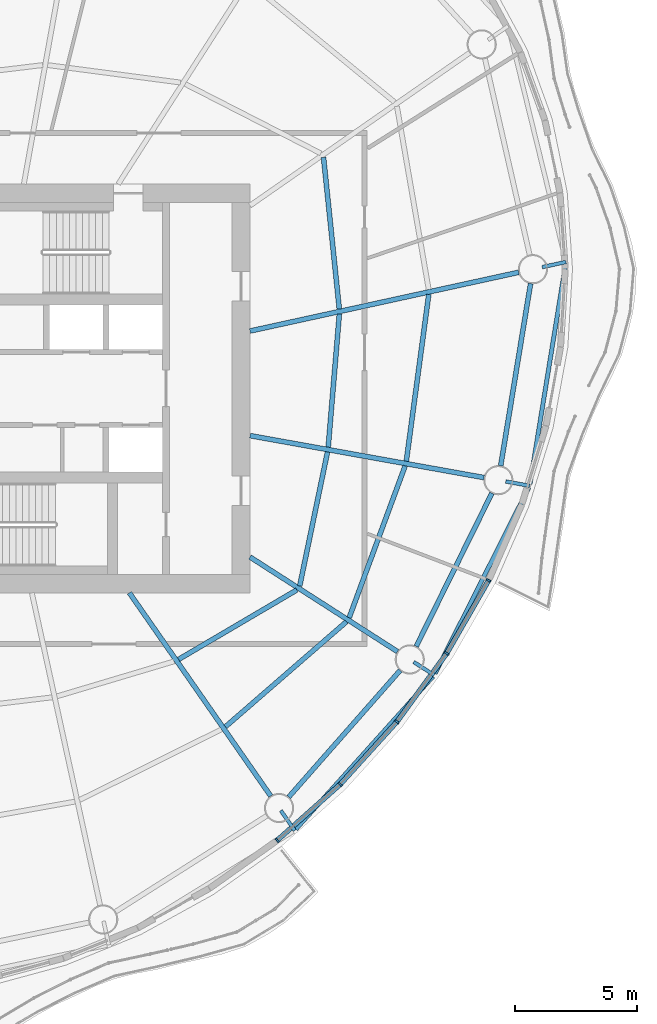
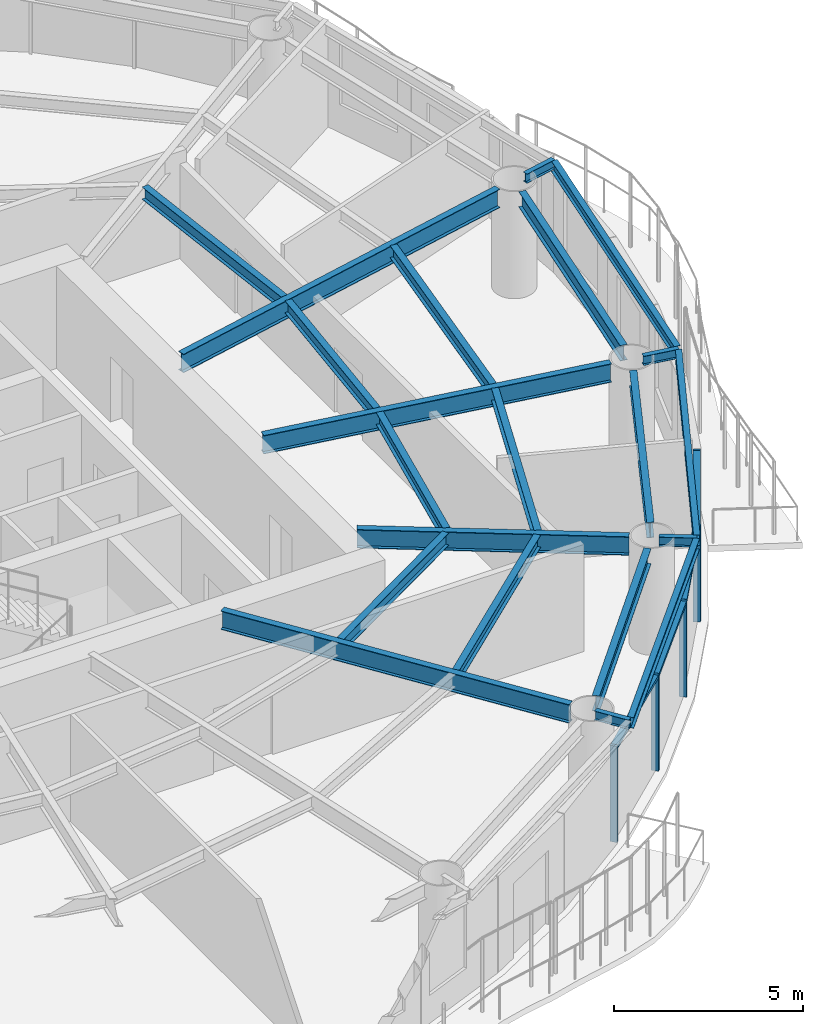
# One storey, part 4 of 14: 21 beams, 9 members, 4 elements without a shape of their own.
"""IFC4 building model written with IfcOpenShell, lengths in metres."""

from ifc_helpers import new_model, si_unit, direction, frame, origin, origin_2d, place, context, subcontext, project, spatial, rectangle, i_section, extrude, material, material_profile, profile_set, type_object, element, aggregate, save


model = new_model("IFC4")

# Units and contexts
model_context = context("Model", 3, precision=1e-05, world=origin(), true_north=direction((0.0, 1.0)))
body_context = subcontext(model_context, "Body", "Model", "MODEL_VIEW")
ifc_project = project(units=[si_unit("LENGTHUNIT", "METRE"), si_unit("AREAUNIT", "SQUARE_METRE"), si_unit("VOLUMEUNIT", "CUBIC_METRE"), si_unit("PLANEANGLEUNIT", "RADIAN"), si_unit("MASSUNIT", "GRAM", prefix="KILO")], contexts=[model_context])

# Site, building, storey
site_placement = place(None, origin())
site = spatial("IfcSite", under=ifc_project, at=site_placement, CompositionType="ELEMENT")
building_placement = place(site_placement, origin())
building = spatial("IfcBuilding", under=site, at=building_placement, Name="Vermilion Reach Broadcast Tower", CompositionType="ELEMENT")
storey_placement = place(building_placement, frame((0.0, 0.0, 235.300048828125)))
storey = spatial("IfcBuildingStorey", under=building, at=storey_placement, Name="L58", CompositionType="ELEMENT", Elevation=235.300048828125)

# Beams
ifc_material_1 = material(Name="Steel S355J2", Category="steel")
ifc_material_profile_1 = material_profile(ifc_material_1, i_section(OverallWidth=0.175048828125, OverallDepth=0.35009765625, WebThickness=0.007080078125, FlangeThickness=0.010986328125, at=origin_2d()), Name="S355J2 HN 350x175x7x11")
ifc_profile_set_1 = profile_set([ifc_material_profile_1], Name="Steel S355J2")
beam_type_1 = type_object("IfcBeamType", Name="EB4 HN 350x175x7x11", PredefinedType="BEAM", material=ifc_profile_set_1)
beam_1_placement = place(storey_placement, frame((6.687744140625, -18.103759765625, 3.27490234375), z_axis=(0.668066114514, 0.744101919523, 0.0), x_axis=(-0.744101919523, 0.668066114514, 0.0)))
element("IfcBeam", 1, at=beam_1_placement, inside=storey, type_object=beam_type_1, Name="Edge beam EB4-12", PredefinedType="BEAM", context=body_context, shape_type="SweptSolid", body=[
    extrude(i_section(OverallWidth=0.175048828125, OverallDepth=0.35009765625, WebThickness=0.007080078125, FlangeThickness=0.010986328125, at=origin_2d()), origin(), (0.0, 0.0, 1.0), 8.42529296875),
])
beam_2_placement = place(storey_placement, frame((12.401123046875, -11.710693359375, 3.27490234375), z_axis=(0.450337095438, 0.892858611692, 0.0), x_axis=(-0.892858611692, 0.450337095438, 0.0)))
element("IfcBeam", 2, at=beam_2_placement, inside=storey, type_object=beam_type_1, Name="Edge beam EB4-13", PredefinedType="BEAM", context=body_context, shape_type="SweptSolid", body=[
    extrude(i_section(OverallWidth=0.175048828125, OverallDepth=0.35009765625, WebThickness=0.007080078125, FlangeThickness=0.010986328125, at=origin_2d()), origin(), (0.0, 0.0, 1.0), 8.55908203125),
])
beam_3_placement = place(storey_placement, frame((16.302978515625, -3.9248046875, 3.27490234375), z_axis=(0.160024139448, 0.987113101318, 0.0), x_axis=(-0.987113101318, 0.160024139448, 0.0)))
element("IfcBeam", 3, at=beam_3_placement, inside=storey, type_object=beam_type_1, Name="Edge beam EB4-14", PredefinedType="BEAM", context=body_context, shape_type="SweptSolid", body=[
    extrude(i_section(OverallWidth=0.175048828125, OverallDepth=0.35009765625, WebThickness=0.007080078125, FlangeThickness=0.010986328125, at=origin_2d()), origin(), (0.0, 0.0, 1.0), 9.16162109375),
])
ifc_material_2 = material(Name="Steel S355J2", Category="steel")
ifc_material_profile_2 = material_profile(ifc_material_2, i_section(OverallWidth=0.199951171875, OverallDepth=0.60009765625, WebThickness=0.010986328125, FlangeThickness=0.01708984375, at=origin_2d()), Name="S355J2 HN 600x200x11x17")
ifc_profile_set_2 = profile_set([ifc_material_profile_2], Name="Steel S355J2")
beam_type_2 = type_object("IfcBeamType", Name="G4 HN 600x200x11x17", PredefinedType="BEAM", material=ifc_profile_set_2)
beam_4_placement = place(storey_placement, frame((-0.1552734375, -8.39990234375, 3.14990234375), z_axis=(0.571134149017, -0.8208567377, 0.0), x_axis=(0.8208567377, 0.571134149017, 0.0)))
element("IfcBeam", 4, at=beam_4_placement, inside=storey, type_object=beam_type_2, Name="Girder G4-12", PredefinedType="BEAM", context=body_context, shape_type="SweptSolid", body=[
    extrude(i_section(OverallWidth=0.199951171875, OverallDepth=0.60009765625, WebThickness=0.010986328125, FlangeThickness=0.01708984375, at=origin_2d()), origin(), (0.0, 0.0, 1.0), 10.16552734375),
])
beam_5_placement = place(storey_placement, frame((4.800048828125, -6.925537109375, 3.14990234375), z_axis=(0.841798504642, -0.539791883584, 0.0), x_axis=(0.539791883584, 0.841798504642, 0.0)))
element("IfcBeam", 5, at=beam_5_placement, inside=storey, type_object=beam_type_2, Name="Girder G4-13", PredefinedType="BEAM", context=body_context, shape_type="SweptSolid", body=[
    extrude(i_section(OverallWidth=0.199951171875, OverallDepth=0.60009765625, WebThickness=0.010986328125, FlangeThickness=0.01708984375, at=origin_2d()), origin(), (0.0, 0.0, 1.0), 7.1962890625),
])
beam_6_placement = place(storey_placement, frame((4.800048828125, -1.9375, 3.14990234375), z_axis=(0.984291153273, -0.176552897422, 0.0), x_axis=(0.176552897422, 0.984291153273, 0.0)))
element("IfcBeam", 6, at=beam_6_placement, inside=storey, type_object=beam_type_2, Name="Girder G4-14", PredefinedType="BEAM", context=body_context, shape_type="SweptSolid", body=[
    extrude(i_section(OverallWidth=0.199951171875, OverallDepth=0.60009765625, WebThickness=0.010986328125, FlangeThickness=0.01708984375, at=origin_2d()), origin(), (0.0, 0.0, 1.0), 9.765380859375),
])
beam_7_placement = place(storey_placement, frame((4.800048828125, 2.360595703125, 3.14990234375), z_axis=(0.976930175286, 0.213558967537, 0.0), x_axis=(-0.213558967537, 0.976930175286, 0.0)))
element("IfcBeam", 7, at=beam_7_placement, inside=storey, type_object=beam_type_2, Name="Girder G4-15", PredefinedType="BEAM", context=body_context, shape_type="SweptSolid", body=[
    extrude(i_section(OverallWidth=0.199951171875, OverallDepth=0.60009765625, WebThickness=0.010986328125, FlangeThickness=0.01708984375, at=origin_2d()), origin(), (0.0, 0.0, 1.0), 11.29833984375),
])
ifc_material_3 = material(Name="Steel S355J2", Category="steel")
ifc_material_profile_3 = material_profile(ifc_material_3, i_section(OverallWidth=0.14990234375, OverallDepth=0.300048828125, WebThickness=0.006591796875, FlangeThickness=0.009033203125, at=origin_2d()), Name="S355J2 HN 300x150x6.5x9")
ifc_profile_set_3 = profile_set([ifc_material_profile_3], Name="Steel S355J2")
beam_type_3 = type_object("IfcBeamType", Name="GS4 HN 300x150x6.5x9", PredefinedType="BEAM", material=ifc_profile_set_3)
for number, where, z_axis, x_axis, name in (
    (8, (6.065185546875, -17.340087890625, 3.300048828125), (0.571100256946, -0.820880318022, 0.0), (0.820880318022, 0.571100256946, 0.0), "Cantilever stub GS4-12"),
    (9, (11.525390625, -11.238037109375, 3.300048828125), (0.841796649213, -0.539794777091, 0.0), (0.539794777091, 0.841796649213, 0.0), "Cantilever stub GS4-13"),
    (10, (15.306640625, -3.822265625, 3.300048828125), (0.984300581331, -0.176500327456, 0.0), (0.176500327456, 0.984300581331, 0.0), "Cantilever stub GS4-14"),
):
    element("IfcBeam", number, at=place(storey_placement, frame(where, z_axis=z_axis, x_axis=x_axis)), inside=storey, type_object=beam_type_3, Name=name, PredefinedType="BEAM", context=body_context, shape_type="SweptSolid", body=[
        extrude(i_section(OverallWidth=0.14990234375, OverallDepth=0.300048828125, WebThickness=0.006591796875, FlangeThickness=0.009033203125, at=origin_2d()), origin(), (0.0, 0.0, 1.0), 1.0),
    ])
beam_8_placement = place(storey_placement, frame((16.80517578125, 4.98486328125, 3.300048828125), z_axis=(0.976962101927, 0.213412866055, 0.0), x_axis=(-0.213412866055, 0.976962101927, 0.0)))
element("IfcBeam", 11, at=beam_8_placement, inside=storey, type_object=beam_type_3, Name="Cantilever stub GS4-15", PredefinedType="BEAM", context=body_context, shape_type="SweptSolid", body=[
    extrude(i_section(OverallWidth=0.14990234375, OverallDepth=0.300048828125, WebThickness=0.006591796875, FlangeThickness=0.009033203125, at=origin_2d()), origin(), (0.0, 0.0, 1.0), 0.999755859375),
])
ifc_material_4 = material(Name="Steel S355J2", Category="steel")
ifc_material_profile_4 = material_profile(ifc_material_4, i_section(OverallWidth=0.199951171875, OverallDepth=0.5, WebThickness=0.010009765625, FlangeThickness=0.01611328125, at=origin_2d()), Name="S355J2 HN 500x200x10x16")
ifc_profile_set_4 = profile_set([ifc_material_profile_4], Name="Steel S355J2")
beam_type_4 = type_object("IfcBeamType", Name="RB4 HN 500x200x10x16", PredefinedType="BEAM", material=ifc_profile_set_4)
beam_9_placement = place(storey_placement, frame((6.3896484375, -16.786376953125, 3.199951171875), z_axis=(0.660565141761, 0.750768735024, 0.0), x_axis=(-0.750768735024, 0.660565141761, 0.0)))
element("IfcBeam", 12, at=beam_9_placement, inside=storey, type_object=beam_type_4, Name="Ring beam RB4-12", PredefinedType="BEAM", context=body_context, shape_type="SweptSolid", body=[
    extrude(i_section(OverallWidth=0.199951171875, OverallDepth=0.5, WebThickness=0.010009765625, FlangeThickness=0.01611328125, at=origin_2d()), origin(), (0.0, 0.0, 1.0), 6.9287109375),
])
beam_10_placement = place(storey_placement, frame((11.628662109375, -10.595947265625, 3.199951171875), z_axis=(0.442977497199, 0.896532730566, 0.0), x_axis=(-0.896532730566, 0.442977497199, 0.0)))
element("IfcBeam", 13, at=beam_10_placement, inside=storey, type_object=beam_type_4, Name="Ring beam RB4-13", PredefinedType="BEAM", context=body_context, shape_type="SweptSolid", body=[
    extrude(i_section(OverallWidth=0.199951171875, OverallDepth=0.5, WebThickness=0.010009765625, FlangeThickness=0.01611328125, at=origin_2d()), origin(), (0.0, 0.0, 1.0), 7.0166015625),
])
beam_11_placement = place(storey_placement, frame((15.099609375, -3.175537109375, 3.199951171875), z_axis=(0.161778110263, 0.986827159659, 0.0), x_axis=(-0.986827159659, 0.161778110263, 0.0)))
element("IfcBeam", 14, at=beam_11_placement, inside=storey, type_object=beam_type_4, Name="Ring beam RB4-14", PredefinedType="BEAM", context=body_context, shape_type="SweptSolid", body=[
    extrude(i_section(OverallWidth=0.199951171875, OverallDepth=0.5, WebThickness=0.010009765625, FlangeThickness=0.01611328125, at=origin_2d()), origin(), (0.0, 0.0, 1.0), 7.584716796875),
])
ifc_material_5 = material(Name="Steel S355J2", Category="steel")
ifc_material_profile_5 = material_profile(ifc_material_5, i_section(OverallWidth=0.199951171875, OverallDepth=0.39990234375, WebThickness=0.008056640625, FlangeThickness=0.012939453125, at=origin_2d()), Name="S355J2 HN 400x200x8x13")
ifc_profile_set_5 = profile_set([ifc_material_profile_5], Name="Steel S355J2")
beam_type_5 = type_object("IfcBeamType", Name="SB4 HN 400x200x8x13", PredefinedType="BEAM", material=ifc_profile_set_5)
beam_12_placement = place(storey_placement, frame((1.866455078125, -11.130615234375, 3.25), z_axis=(0.862172572268, 0.506614701356, 0.0), x_axis=(-0.506614701356, 0.862172572268, 0.0)))
element("IfcBeam", 15, at=beam_12_placement, inside=storey, type_object=beam_type_5, Name="Secondary beam SB4-12-1", PredefinedType="BEAM", context=body_context, shape_type="SweptSolid", body=[
    extrude(i_section(OverallWidth=0.199951171875, OverallDepth=0.39990234375, WebThickness=0.008056640625, FlangeThickness=0.012939453125, at=origin_2d()), origin(), (0.0, 0.0, 1.0), 5.632568359375),
])
beam_13_placement = place(storey_placement, frame((3.791259765625, -13.89697265625, 3.25), z_axis=(0.755129308567, 0.655575874589, 0.0), x_axis=(-0.655575874589, 0.755129308567, 0.0)))
element("IfcBeam", 16, at=beam_13_placement, inside=storey, type_object=beam_type_5, Name="Secondary beam SB4-12-2", PredefinedType="BEAM", context=body_context, shape_type="SweptSolid", body=[
    extrude(i_section(OverallWidth=0.199951171875, OverallDepth=0.39990234375, WebThickness=0.008056640625, FlangeThickness=0.012939453125, at=origin_2d()), origin(), (0.0, 0.0, 1.0), 6.57958984375),
])
beam_14_placement = place(storey_placement, frame((6.841064453125, -8.115478515625, 3.25), z_axis=(0.20320860258, 0.979135467562, 0.0), x_axis=(-0.979135467562, 0.20320860258, 0.0)))
element("IfcBeam", 17, at=beam_14_placement, inside=storey, type_object=beam_type_5, Name="Secondary beam SB4-13-1", PredefinedType="BEAM", context=body_context, shape_type="SweptSolid", body=[
    extrude(i_section(OverallWidth=0.199951171875, OverallDepth=0.39990234375, WebThickness=0.008056640625, FlangeThickness=0.012939453125, at=origin_2d()), origin(), (0.0, 0.0, 1.0), 5.622802734375),
])
beam_15_placement = place(storey_placement, frame((8.8740234375, -9.419189453125, 3.25), z_axis=(0.345833008621, 0.938296078084, 0.0), x_axis=(-0.938296078084, 0.345833008621, 0.0)))
element("IfcBeam", 18, at=beam_15_placement, inside=storey, type_object=beam_type_5, Name="Secondary beam SB4-13-2", PredefinedType="BEAM", context=body_context, shape_type="SweptSolid", body=[
    extrude(i_section(OverallWidth=0.199951171875, OverallDepth=0.39990234375, WebThickness=0.008056640625, FlangeThickness=0.012939453125, at=origin_2d()), origin(), (0.0, 0.0, 1.0), 6.647216796875),
])
beam_16_placement = place(storey_placement, frame((8.012451171875, -2.412109375, 3.25), z_axis=(0.08339866655, 0.996516262997, 0.0), x_axis=(-0.996516262997, 0.08339866655, 0.0)))
element("IfcBeam", 19, at=beam_16_placement, inside=storey, type_object=beam_type_5, Name="Secondary beam SB4-14-1", PredefinedType="BEAM", context=body_context, shape_type="SweptSolid", body=[
    extrude(i_section(OverallWidth=0.199951171875, OverallDepth=0.39990234375, WebThickness=0.008056640625, FlangeThickness=0.012939453125, at=origin_2d()), origin(), (0.0, 0.0, 1.0), 5.49169921875),
])
beam_17_placement = place(storey_placement, frame((11.221435546875, -2.98779296875, 3.25), z_axis=(0.133486718782, 0.991050602093, 0.0), x_axis=(-0.991050602093, 0.133486718782, 0.0)))
element("IfcBeam", 20, at=beam_17_placement, inside=storey, type_object=beam_type_5, Name="Secondary beam SB4-14-2", PredefinedType="BEAM", context=body_context, shape_type="SweptSolid", body=[
    extrude(i_section(OverallWidth=0.199951171875, OverallDepth=0.39990234375, WebThickness=0.008056640625, FlangeThickness=0.012939453125, at=origin_2d()), origin(), (0.0, 0.0, 1.0), 6.913330078125),
])
beam_18_placement = place(storey_placement, frame((8.46875, 3.264892578125, 3.25), z_axis=(-0.103532173355, 0.994626105167, 0.0), x_axis=(-0.994626105167, -0.103532173355, 0.0)))
element("IfcBeam", 21, at=beam_18_placement, inside=storey, type_object=beam_type_5, Name="Secondary beam SB4-15-1", PredefinedType="BEAM", context=body_context, shape_type="SweptSolid", body=[
    extrude(i_section(OverallWidth=0.199951171875, OverallDepth=0.39990234375, WebThickness=0.008056640625, FlangeThickness=0.012939453125, at=origin_2d()), origin(), (0.0, 0.0, 1.0), 6.26318359375),
])

# Curtain wall, member
ifc_material_6 = material(Name="Low-e laminated clear glass in aluminium frame", Category="aluminium")
curtain_wall_type = type_object("IfcCurtainWallType", Name="Slot curtain wall", PredefinedType="NOTDEFINED", material=ifc_material_6)
placement = place(storey_placement, origin())
curtain_wall_1 = element("IfcCurtainWall", 22, at=placement, inside=storey, type_object=curtain_wall_type, Name="Slot curtain wall L58 34", PredefinedType="NOTDEFINED")
ifc_material_7 = material(Name="Anodised aluminium", Category="aluminium")
ifc_material_profile_6 = material_profile(ifc_material_7, rectangle(XDim=0.199951171875, YDim=0.080078125, at=origin_2d()), Name="Slot mullion 80 x 200")
ifc_profile_set_6 = profile_set([ifc_material_profile_6], Name="Anodised aluminium")
member_type_1 = type_object("IfcMemberType", Name="Slot mullion 80 x 200", PredefinedType="MULLION", material=ifc_profile_set_6)
member_1_placement = place(storey_placement, frame((5.91650390625, -18.5654296875, 0.0), z_axis=(0.0, 0.0, 1.0), x_axis=(-0.622227906877, 0.782836146268, 0.0)))
member_1 = element("IfcMember", 23, at=member_1_placement, type_object=member_type_1, Name="Slot mullion L58 34", PredefinedType="MULLION", context=body_context, shape_type="SweptSolid", body=[
    extrude(rectangle(XDim=0.199951171875, YDim=0.080078125, at=origin_2d()), origin(), (0.0, 0.0, 1.0), 3.099853515625),
])

curtain_wall_2 = element("IfcCurtainWall", 24, at=placement, inside=storey, type_object=curtain_wall_type, Name="Slot curtain wall L58 35", PredefinedType="NOTDEFINED")
member_2_placement = place(storey_placement, frame((8.501220703125, -16.268798828125, 0.0), z_axis=(0.0, 0.0, 1.0), x_axis=(-0.703569241574, 0.710626710947, 0.0)))
member_2 = element("IfcMember", 25, at=member_2_placement, type_object=member_type_1, Name="Slot mullion L58 35", PredefinedType="MULLION", context=body_context, shape_type="SweptSolid", body=[
    extrude(rectangle(XDim=0.199951171875, YDim=0.080078125, at=origin_2d()), origin(), (0.0, 0.0, 1.0), 3.099853515625),
])

curtain_wall_3 = element("IfcCurtainWall", 26, at=placement, inside=storey, type_object=curtain_wall_type, Name="Slot curtain wall L58 36", PredefinedType="NOTDEFINED")
member_3_placement = place(storey_placement, frame((10.836669921875, -13.692626953125, 0.0), z_axis=(0.0, 0.0, 1.0), x_axis=(-0.775826205731, 0.630946668508, 0.0)))
member_3 = element("IfcMember", 27, at=member_3_placement, type_object=member_type_1, Name="Slot mullion L58 36", PredefinedType="MULLION", context=body_context, shape_type="SweptSolid", body=[
    extrude(rectangle(XDim=0.199951171875, YDim=0.080078125, at=origin_2d()), origin(), (0.0, 0.0, 1.0), 3.099853515625),
])

# Curtain wall, members
curtain_wall_4 = element("IfcCurtainWall", 28, at=placement, inside=storey, type_object=curtain_wall_type, Name="Slot curtain wall L58 37", PredefinedType="NOTDEFINED")
member_4_placement = place(storey_placement, frame((12.8828125, -10.880859375, 0.0), z_axis=(0.0, 0.0, 1.0), x_axis=(-0.839106912707, 0.543966533022, 0.0)))
member_4 = element("IfcMember", 29, at=member_4_placement, type_object=member_type_1, Name="Slot mullion L58 37", PredefinedType="MULLION", context=body_context, shape_type="SweptSolid", body=[
    extrude(rectangle(XDim=0.199951171875, YDim=0.080078125, at=origin_2d()), origin(), (0.0, 0.0, 1.0), 3.099853515625),
])
member_5_placement = place(storey_placement, frame((14.6044921875, -7.882568359375, 0.0), z_axis=(0.0, 0.0, 1.0), x_axis=(-0.893222251114, 0.449615402445, 0.0)))
member_5 = element("IfcMember", 30, at=member_5_placement, type_object=member_type_1, Name="Slot mullion L58 38", PredefinedType="MULLION", context=body_context, shape_type="SweptSolid", body=[
    extrude(rectangle(XDim=0.199951171875, YDim=0.080078125, at=origin_2d()), origin(), (0.0, 0.0, 1.0), 3.099853515625),
])

# Member
ifc_material_8 = material(Name="Anodised aluminium", Category="aluminium")
ifc_material_profile_7 = material_profile(ifc_material_8, rectangle(XDim=0.199951171875, YDim=0.10009765625, at=origin_2d()), Name="Slot transom 200 x 100")
ifc_profile_set_7 = profile_set([ifc_material_profile_7], Name="Anodised aluminium")
member_type_2 = type_object("IfcMemberType", Name="Slot transom 200 x 100", PredefinedType="USERDEFINED", material=ifc_profile_set_7)
member_6_placement = place(storey_placement, frame((5.946533203125, -18.538818359375, 3.050048828125), z_axis=(0.747516991155, 0.664242687528, 0.0), x_axis=(-0.664242687528, 0.747516991155, 0.0)))
member_6 = element("IfcMember", 31, at=member_6_placement, type_object=member_type_2, Name="Slot transom L58 34.1", ObjectType="TRANSOM", PredefinedType="USERDEFINED", context=body_context, shape_type="SweptSolid", body=[
    extrude(rectangle(XDim=0.199951171875, YDim=0.10009765625, at=origin_2d()), origin(), (0.0, 0.0, 1.0), 3.37744140625),
])

aggregate(curtain_wall_1, [member_1, member_6])

member_7_placement = place(storey_placement, frame((8.528076171875, -16.2392578125, 3.050048828125), z_axis=(0.671620525942, 0.740895315907, 0.0), x_axis=(-0.740895315907, 0.671620525942, 0.0)))
member_7 = element("IfcMember", 32, at=member_7_placement, type_object=member_type_2, Name="Slot transom L58 35.1", ObjectType="TRANSOM", PredefinedType="USERDEFINED", context=body_context, shape_type="SweptSolid", body=[
    extrude(rectangle(XDim=0.199951171875, YDim=0.10009765625, at=origin_2d()), origin(), (0.0, 0.0, 1.0), 3.3974609375),
])

aggregate(curtain_wall_2, [member_2, member_7])

member_8_placement = place(storey_placement, frame((10.8603515625, -13.66015625, 3.050048828125), z_axis=(0.588428050243, 0.808549583938, 0.0), x_axis=(-0.808549583938, 0.588428050243, 0.0)))
member_8 = element("IfcMember", 33, at=member_8_placement, type_object=member_type_2, Name="Slot transom L58 36.1", ObjectType="TRANSOM", PredefinedType="USERDEFINED", context=body_context, shape_type="SweptSolid", body=[
    extrude(rectangle(XDim=0.199951171875, YDim=0.10009765625, at=origin_2d()), origin(), (0.0, 0.0, 1.0), 3.397216796875),
])

aggregate(curtain_wall_3, [member_3, member_8])

member_9_placement = place(storey_placement, frame((12.90283203125, -10.84619140625, 3.050048828125), z_axis=(0.497912825431, 0.867227085757, 0.0), x_axis=(-0.867227085757, 0.497912825431, 0.0)))
member_9 = element("IfcMember", 34, at=member_9_placement, type_object=member_type_2, Name="Slot transom L58 37.1", ObjectType="TRANSOM", PredefinedType="USERDEFINED", context=body_context, shape_type="SweptSolid", body=[
    extrude(rectangle(XDim=0.199951171875, YDim=0.10009765625, at=origin_2d()), origin(), (0.0, 0.0, 1.0), 3.37744140625),
])

aggregate(curtain_wall_4, [member_4, member_5, member_9])

save(model, "model.ifc")
